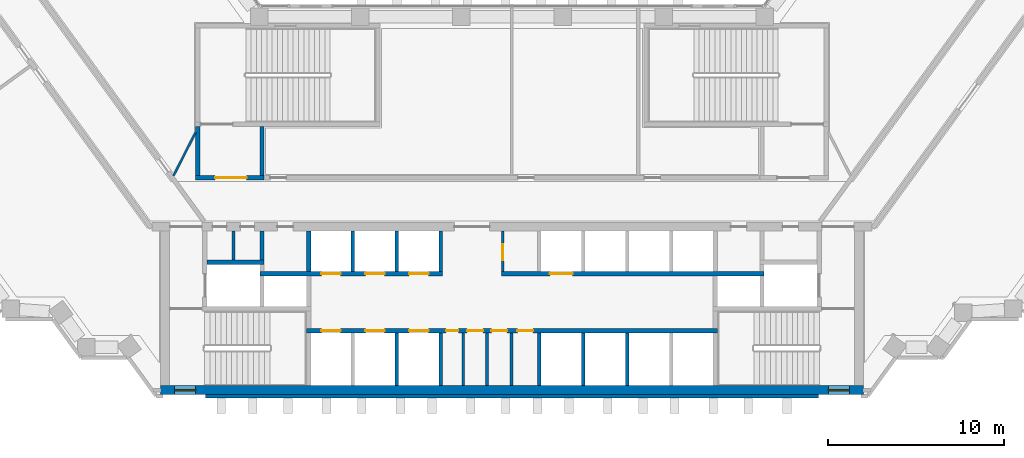
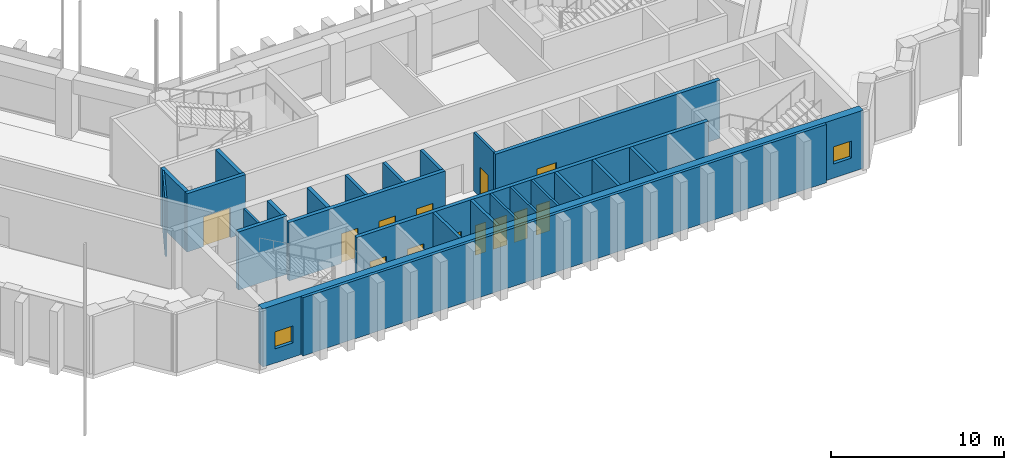
# One storey, part 10 of 18: 25 walls, 13 doors, 2 windows, 15 openings.
"""IFC4 building model written with IfcOpenShell, lengths in metres."""

from ifc_helpers import new_model, si_unit, direction, frame, frame_2d, origin, place, context, subcontext, project, spatial, rectangle, extrude, material, layer, layer_set, type_object, element, fill, save


model = new_model("IFC4")

# Units and contexts
model_context = context("Model", 3, precision=1e-05, world=origin(), true_north=direction((0.0, 1.0)))
body_context = subcontext(model_context, "Body", "Model", "MODEL_VIEW")
ifc_project = project(units=[si_unit("LENGTHUNIT", "METRE"), si_unit("AREAUNIT", "SQUARE_METRE"), si_unit("VOLUMEUNIT", "CUBIC_METRE"), si_unit("PLANEANGLEUNIT", "RADIAN"), si_unit("MASSUNIT", "GRAM", prefix="KILO")], contexts=[model_context])

# Site, building, storey
site_placement = place(None, origin())
site = spatial("IfcSite", under=ifc_project, at=site_placement, CompositionType="ELEMENT")
building_placement = place(site_placement, origin())
building = spatial("IfcBuilding", under=site, at=building_placement, Name="Quipu Civic Tower", CompositionType="ELEMENT")
storey_placement = place(building_placement, frame((0.0, 0.0, 16.0)))
storey = spatial("IfcBuildingStorey", under=building, at=storey_placement, Name="L03", CompositionType="ELEMENT", Elevation=16.0)

# Wall, openings, doors
ifc_material_1 = material(Name="Concrete C70/85", Category="concrete")
ifc_layer_1 = layer(ifc_material_1, 0.25)
ifc_layer_set_1 = layer_set([ifc_layer_1], Name="Concrete C70/85")
wall_type_1 = type_object("IfcWallType", Name="Core wall 250", PredefinedType="SHEAR", material=ifc_layer_set_1)
wall_1_placement = place(storey_placement, frame((11.699951171875, -7.375, 0.0), z_axis=(0.0, 0.0, 1.0), x_axis=(-1.0, 0.0, 0.0)))
wall_1 = element("IfcWall", 1, at=wall_1_placement, inside=storey, type_object=wall_type_1, Name="Core wall", PredefinedType="SHEAR", context=body_context, shape_type="SweptSolid", body=[
    extrude(rectangle(XDim=23.39990234375, YDim=0.25, at=frame_2d((11.699951171875, 0.0))), origin(), (0.0, 0.0, 1.0), 4.10009765625),
])
opening_1_placement = place(wall_1_placement, frame((21.449951171875, 0.0, 0.0)))
opening_1 = element("IfcOpeningElement", 2, at=opening_1_placement, cuts=wall_1, Name="Opening LD-LL1", PredefinedType="OPENING", context=body_context, shape_type="SweptSolid", body=[
    extrude(rectangle(XDim=1.10009765625, YDim=2.10009765625, at=frame_2d((0.550048828125, 1.050048828125))), frame((0.0, 0.135009765625, 0.0), z_axis=(0.0, -1.0, 0.0), x_axis=(1.0, 0.0, 0.0)), (0.0, 0.0, 1.0), 0.27001953125),
])
opening_2_placement = place(wall_1_placement, frame((18.949951171875, 0.0, 0.0)))
opening_2 = element("IfcOpeningElement", 3, at=opening_2_placement, cuts=wall_1, Name="Opening LD-LL2", PredefinedType="OPENING", context=body_context, shape_type="SweptSolid", body=[
    extrude(rectangle(XDim=1.10009765625, YDim=2.10009765625, at=frame_2d((0.550048828125, 1.050048828125))), frame((0.0, 0.135009765625, 0.0), z_axis=(0.0, -1.0, 0.0), x_axis=(1.0, 0.0, 0.0)), (0.0, 0.0, 1.0), 0.27001953125),
])
opening_3_placement = place(wall_1_placement, frame((16.449951171875, 0.0, 0.0)))
opening_3 = element("IfcOpeningElement", 4, at=opening_3_placement, cuts=wall_1, Name="Opening LD-LL3", PredefinedType="OPENING", context=body_context, shape_type="SweptSolid", body=[
    extrude(rectangle(XDim=1.10009765625, YDim=2.10009765625, at=frame_2d((0.550048828125, 1.050048828125))), frame((0.0, 0.135009765625, 0.0), z_axis=(0.0, -1.0, 0.0), x_axis=(1.0, 0.0, 0.0)), (0.0, 0.0, 1.0), 0.27001953125),
])
opening_4_placement = place(wall_1_placement, frame((14.75, 0.0, 0.0)))
opening_4 = element("IfcOpeningElement", 5, at=opening_4_placement, cuts=wall_1, Name="Opening CD-01", PredefinedType="OPENING", context=body_context, shape_type="SweptSolid", body=[
    extrude(rectangle(XDim=0.699951171875, YDim=2.10009765625, at=frame_2d((0.35009765625, 1.050048828125))), frame((0.0, 0.135009765625, 0.0), z_axis=(0.0, -1.0, 0.0), x_axis=(1.0, 0.0, 0.0)), (0.0, 0.0, 1.0), 0.27001953125),
])
opening_5_placement = place(wall_1_placement, frame((13.35009765625, 0.0, 0.0)))
opening_5 = element("IfcOpeningElement", 6, at=opening_5_placement, cuts=wall_1, Name="Opening CD-02", PredefinedType="OPENING", context=body_context, shape_type="SweptSolid", body=[
    extrude(rectangle(XDim=0.89990234375, YDim=2.10009765625, at=frame_2d((0.449951171875, 1.050048828125))), frame((0.0, 0.135009765625, 0.0), z_axis=(0.0, -1.0, 0.0), x_axis=(1.0, 0.0, 0.0)), (0.0, 0.0, 1.0), 0.27001953125),
])
opening_6_placement = place(wall_1_placement, frame((11.97509765625, 0.0, 0.0)))
opening_6 = element("IfcOpeningElement", 7, at=opening_6_placement, cuts=wall_1, Name="Opening CD-03", PredefinedType="OPENING", context=body_context, shape_type="SweptSolid", body=[
    extrude(rectangle(XDim=0.89990234375, YDim=2.10009765625, at=frame_2d((0.449951171875, 1.050048828125))), frame((0.0, 0.135009765625, 0.0), z_axis=(0.0, -1.0, 0.0), x_axis=(1.0, 0.0, 0.0)), (0.0, 0.0, 1.0), 0.27001953125),
])
opening_7_placement = place(wall_1_placement, frame((10.5, 0.0, 0.0)))
opening_7 = element("IfcOpeningElement", 8, at=opening_7_placement, cuts=wall_1, Name="Opening CD-04", PredefinedType="OPENING", context=body_context, shape_type="SweptSolid", body=[
    extrude(rectangle(XDim=0.89990234375, YDim=2.10009765625, at=frame_2d((0.449951171875, 1.050048828125))), frame((0.0, 0.135009765625, 0.0), z_axis=(0.0, -1.0, 0.0), x_axis=(1.0, 0.0, 0.0)), (0.0, 0.0, 1.0), 0.27001953125),
])
ifc_material_2 = material(Name="Fire rated steel door", Category="steel")
door_type_1 = type_object("IfcDoorType", Name="Fire door FD60 700 x 2100", OperationType="NOTDEFINED", PredefinedType="DOOR", material=ifc_material_2)
door_1_placement = place(opening_4_placement, origin())
door_1 = element("IfcDoor", 9, at=door_1_placement, inside=storey, type_object=door_type_1, Name="Door", OperationType="SINGLE_SWING_RIGHT", OverallHeight=2.10009765625, OverallWidth=0.699951171875, PredefinedType="DOOR", context=body_context, shape_type="SweptSolid", body=[
    extrude(rectangle(XDim=0.699951171875, YDim=2.10009765625, at=frame_2d((0.35009765625, 1.050048828125))), frame((0.0, 0.02490234375, 0.0), z_axis=(0.0, -1.0, 0.0), x_axis=(1.0, 0.0, 0.0)), (0.0, 0.0, 1.0), 0.050048828125),
])
fill(opening_4, door_1)
ifc_material_3 = material(Name="Fire rated steel door", Category="steel")
door_type_2 = type_object("IfcDoorType", Name="Fire door FD60 900 x 2100", OperationType="NOTDEFINED", PredefinedType="DOOR", material=ifc_material_3)
door_2_placement = place(opening_5_placement, origin())
door_2 = element("IfcDoor", 10, at=door_2_placement, inside=storey, type_object=door_type_2, Name="WC door", OperationType="SINGLE_SWING_RIGHT", OverallHeight=2.10009765625, OverallWidth=0.89990234375, PredefinedType="DOOR", context=body_context, shape_type="SweptSolid", body=[
    extrude(rectangle(XDim=0.89990234375, YDim=2.10009765625, at=frame_2d((0.449951171875, 1.050048828125))), frame((0.0, 0.02490234375, 0.0), z_axis=(0.0, -1.0, 0.0), x_axis=(1.0, 0.0, 0.0)), (0.0, 0.0, 1.0), 0.050048828125),
])
fill(opening_5, door_2)
door_3_placement = place(opening_6_placement, origin())
door_3 = element("IfcDoor", 11, at=door_3_placement, inside=storey, type_object=door_type_2, Name="WC door", OperationType="SINGLE_SWING_RIGHT", OverallHeight=2.10009765625, OverallWidth=0.89990234375, PredefinedType="DOOR", context=body_context, shape_type="SweptSolid", body=[
    extrude(rectangle(XDim=0.89990234375, YDim=2.10009765625, at=frame_2d((0.449951171875, 1.050048828125))), frame((0.0, 0.02490234375, 0.0), z_axis=(0.0, -1.0, 0.0), x_axis=(1.0, 0.0, 0.0)), (0.0, 0.0, 1.0), 0.050048828125),
])
fill(opening_6, door_3)
door_4_placement = place(opening_7_placement, origin())
door_4 = element("IfcDoor", 12, at=door_4_placement, inside=storey, type_object=door_type_2, Name="WC door", OperationType="SINGLE_SWING_LEFT", OverallHeight=2.10009765625, OverallWidth=0.89990234375, PredefinedType="DOOR", context=body_context, shape_type="SweptSolid", body=[
    extrude(rectangle(XDim=0.89990234375, YDim=2.10009765625, at=frame_2d((0.449951171875, 1.050048828125))), frame((0.0, 0.02490234375, 0.0), z_axis=(0.0, -1.0, 0.0), x_axis=(1.0, 0.0, 0.0)), (0.0, 0.0, 1.0), 0.050048828125),
])
fill(opening_7, door_4)
ifc_material_4 = material(Name="Stainless steel", Category="steel")
door_type_3 = type_object("IfcDoorType", Name="Lift landing door 1100 x 2100", OperationType="DOUBLE_DOOR_SLIDING", PredefinedType="DOOR", material=ifc_material_4)
door_5_placement = place(opening_1_placement, origin())
door_5 = element("IfcDoor", 13, at=door_5_placement, inside=storey, type_object=door_type_3, Name="Landing door LL1", OperationType="DOUBLE_DOOR_SLIDING", OverallHeight=2.10009765625, OverallWidth=1.10009765625, PredefinedType="DOOR", context=body_context, shape_type="SweptSolid", body=[
    extrude(rectangle(XDim=1.10009765625, YDim=2.10009765625, at=frame_2d((0.550048828125, 1.050048828125))), frame((0.0, 0.02490234375, 0.0), z_axis=(0.0, -1.0, 0.0), x_axis=(1.0, 0.0, 0.0)), (0.0, 0.0, 1.0), 0.050048828125),
])
fill(opening_1, door_5)
door_6_placement = place(opening_2_placement, origin())
door_6 = element("IfcDoor", 14, at=door_6_placement, inside=storey, type_object=door_type_3, Name="Landing door LL2", OperationType="DOUBLE_DOOR_SLIDING", OverallHeight=2.10009765625, OverallWidth=1.10009765625, PredefinedType="DOOR", context=body_context, shape_type="SweptSolid", body=[
    extrude(rectangle(XDim=1.10009765625, YDim=2.10009765625, at=frame_2d((0.550048828125, 1.050048828125))), frame((0.0, 0.02490234375, 0.0), z_axis=(0.0, -1.0, 0.0), x_axis=(1.0, 0.0, 0.0)), (0.0, 0.0, 1.0), 0.050048828125),
])
fill(opening_2, door_6)
door_7_placement = place(opening_3_placement, origin())
door_7 = element("IfcDoor", 15, at=door_7_placement, inside=storey, type_object=door_type_3, Name="Landing door LL3", OperationType="DOUBLE_DOOR_SLIDING", OverallHeight=2.10009765625, OverallWidth=1.10009765625, PredefinedType="DOOR", context=body_context, shape_type="SweptSolid", body=[
    extrude(rectangle(XDim=1.10009765625, YDim=2.10009765625, at=frame_2d((0.550048828125, 1.050048828125))), frame((0.0, 0.02490234375, 0.0), z_axis=(0.0, -1.0, 0.0), x_axis=(1.0, 0.0, 0.0)), (0.0, 0.0, 1.0), 0.050048828125),
])
fill(opening_3, door_7)

wall_2_placement = place(storey_placement, frame((-14.35009765625, -4.125, 0.0), z_axis=(0.0, 0.0, 1.0), x_axis=(1.0, 0.0, 0.0)))
wall_2 = element("IfcWall", 16, at=wall_2_placement, inside=storey, type_object=wall_type_1, Name="Core wall", PredefinedType="SHEAR", context=body_context, shape_type="SweptSolid", body=[
    extrude(rectangle(XDim=10.400146484375, YDim=0.25, at=frame_2d((5.2001953125, 0.0))), origin(), (0.0, 0.0, 1.0), 4.10009765625),
])
opening_8_placement = place(wall_2_placement, frame((3.5, 0.0, 0.0)))
opening_8 = element("IfcOpeningElement", 17, at=opening_8_placement, cuts=wall_2, Name="Opening LD-LL4", PredefinedType="OPENING", context=body_context, shape_type="SweptSolid", body=[
    extrude(rectangle(XDim=1.10009765625, YDim=2.10009765625, at=frame_2d((0.550048828125, 1.050048828125))), frame((0.0, 0.135009765625, 0.0), z_axis=(0.0, -1.0, 0.0), x_axis=(1.0, 0.0, 0.0)), (0.0, 0.0, 1.0), 0.27001953125),
])
opening_9_placement = place(wall_2_placement, frame((6.0, 0.0, 0.0)))
opening_9 = element("IfcOpeningElement", 18, at=opening_9_placement, cuts=wall_2, Name="Opening LD-LL5", PredefinedType="OPENING", context=body_context, shape_type="SweptSolid", body=[
    extrude(rectangle(XDim=1.10009765625, YDim=2.10009765625, at=frame_2d((0.550048828125, 1.050048828125))), frame((0.0, 0.135009765625, 0.0), z_axis=(0.0, -1.0, 0.0), x_axis=(1.0, 0.0, 0.0)), (0.0, 0.0, 1.0), 0.27001953125),
])
opening_10_placement = place(wall_2_placement, frame((8.5, 0.0, 0.0)))
opening_10 = element("IfcOpeningElement", 19, at=opening_10_placement, cuts=wall_2, Name="Opening LD-LL6", PredefinedType="OPENING", context=body_context, shape_type="SweptSolid", body=[
    extrude(rectangle(XDim=1.10009765625, YDim=2.10009765625, at=frame_2d((0.550048828125, 1.050048828125))), frame((0.0, 0.135009765625, 0.0), z_axis=(0.0, -1.0, 0.0), x_axis=(1.0, 0.0, 0.0)), (0.0, 0.0, 1.0), 0.27001953125),
])
door_8_placement = place(opening_8_placement, origin())
door_8 = element("IfcDoor", 20, at=door_8_placement, inside=storey, type_object=door_type_3, Name="Landing door LL4", OperationType="DOUBLE_DOOR_SLIDING", OverallHeight=2.10009765625, OverallWidth=1.10009765625, PredefinedType="DOOR", context=body_context, shape_type="SweptSolid", body=[
    extrude(rectangle(XDim=1.10009765625, YDim=2.10009765625, at=frame_2d((0.550048828125, 1.050048828125))), frame((0.0, 0.02490234375, 0.0), z_axis=(0.0, -1.0, 0.0), x_axis=(1.0, 0.0, 0.0)), (0.0, 0.0, 1.0), 0.050048828125),
])
fill(opening_8, door_8)
door_9_placement = place(opening_9_placement, origin())
door_9 = element("IfcDoor", 21, at=door_9_placement, inside=storey, type_object=door_type_3, Name="Landing door LL5", OperationType="DOUBLE_DOOR_SLIDING", OverallHeight=2.10009765625, OverallWidth=1.10009765625, PredefinedType="DOOR", context=body_context, shape_type="SweptSolid", body=[
    extrude(rectangle(XDim=1.10009765625, YDim=2.10009765625, at=frame_2d((0.550048828125, 1.050048828125))), frame((0.0, 0.02490234375, 0.0), z_axis=(0.0, -1.0, 0.0), x_axis=(1.0, 0.0, 0.0)), (0.0, 0.0, 1.0), 0.050048828125),
])
fill(opening_9, door_9)
door_10_placement = place(opening_10_placement, origin())
door_10 = element("IfcDoor", 22, at=door_10_placement, inside=storey, type_object=door_type_3, Name="Landing door LL6", OperationType="DOUBLE_DOOR_SLIDING", OverallHeight=2.10009765625, OverallWidth=1.10009765625, PredefinedType="DOOR", context=body_context, shape_type="SweptSolid", body=[
    extrude(rectangle(XDim=1.10009765625, YDim=2.10009765625, at=frame_2d((0.550048828125, 1.050048828125))), frame((0.0, 0.02490234375, 0.0), z_axis=(0.0, -1.0, 0.0), x_axis=(1.0, 0.0, 0.0)), (0.0, 0.0, 1.0), 0.050048828125),
])
fill(opening_10, door_10)

# Wall, opening, door
wall_3_placement = place(storey_placement, frame((-0.60009765625, -4.125, 0.0), z_axis=(0.0, 0.0, 1.0), x_axis=(1.0, 0.0, 0.0)))
wall_3 = element("IfcWall", 23, at=wall_3_placement, inside=storey, type_object=wall_type_1, Name="Core wall", PredefinedType="SHEAR", context=body_context, shape_type="SweptSolid", body=[
    extrude(rectangle(XDim=14.9501953125, YDim=0.25, at=frame_2d((7.47509765625, 0.0))), origin(), (0.0, 0.0, 1.0), 4.10009765625),
])
opening_11_placement = place(wall_3_placement, frame((2.75, 0.0, 0.0)))
opening_11 = element("IfcOpeningElement", 24, at=opening_11_placement, cuts=wall_3, Name="Opening LD-FF3", PredefinedType="OPENING", context=body_context, shape_type="SweptSolid", body=[
    extrude(rectangle(XDim=1.300048828125, YDim=2.10009765625, at=frame_2d((0.64990234375, 1.050048828125))), frame((0.0, 0.135009765625, 0.0), z_axis=(0.0, -1.0, 0.0), x_axis=(1.0, 0.0, 0.0)), (0.0, 0.0, 1.0), 0.27001953125),
])
ifc_material_5 = material(Name="Stainless steel", Category="steel")
door_type_4 = type_object("IfcDoorType", Name="Lift landing door 1300 x 2100", OperationType="DOUBLE_DOOR_SLIDING", PredefinedType="DOOR", material=ifc_material_5)
door_11_placement = place(opening_11_placement, origin())
door_11 = element("IfcDoor", 25, at=door_11_placement, inside=storey, type_object=door_type_4, Name="Landing door FF3", OperationType="DOUBLE_DOOR_SLIDING", OverallHeight=2.10009765625, OverallWidth=1.300048828125, PredefinedType="DOOR", context=body_context, shape_type="SweptSolid", body=[
    extrude(rectangle(XDim=1.300048828125, YDim=2.10009765625, at=frame_2d((0.64990234375, 1.050048828125))), frame((0.0, 0.02490234375, 0.0), z_axis=(0.0, -1.0, 0.0), x_axis=(1.0, 0.0, 0.0)), (0.0, 0.0, 1.0), 0.050048828125),
])
fill(opening_11, door_11)

# Walls
wall_4_placement = place(storey_placement, frame((-11.574951171875, -4.0, 0.0), z_axis=(0.0, 0.0, 1.0), x_axis=(0.0, 1.0, 0.0)))
element("IfcWall", 26, at=wall_4_placement, inside=storey, type_object=wall_type_1, Name="Core wall", PredefinedType="SHEAR", context=body_context, shape_type="SweptSolid", body=[
    extrude(rectangle(XDim=2.300048828125, YDim=0.25, at=frame_2d((1.14990234375, 0.0))), origin(), (0.0, 0.0, 1.0), 4.10009765625),
])
wall_5_placement = place(storey_placement, frame((-17.35009765625, -3.47509765625, 0.0), z_axis=(0.0, 0.0, 1.0), x_axis=(1.0, 0.0, 0.0)))
element("IfcWall", 27, at=wall_5_placement, inside=storey, type_object=wall_type_1, Name="Core wall", PredefinedType="SHEAR", context=body_context, shape_type="SweptSolid", body=[
    extrude(rectangle(XDim=3.25, YDim=0.25, at=frame_2d((1.625, 0.0))), origin(), (0.0, 0.0, 1.0), 4.10009765625),
])
wall_6_placement = place(storey_placement, frame((-14.22509765625, -3.35009765625, 0.0), z_axis=(0.0, 0.0, 1.0), x_axis=(0.0, 1.0, 0.0)))
element("IfcWall", 28, at=wall_6_placement, inside=storey, type_object=wall_type_1, Name="Core wall", PredefinedType="SHEAR", context=body_context, shape_type="SweptSolid", body=[
    extrude(rectangle(XDim=1.650146484375, YDim=0.25, at=frame_2d((0.8251953125, 0.0))), origin(), (0.0, 0.0, 1.0), 4.10009765625),
])

# Wall, opening, door
wall_7_placement = place(storey_placement, frame((-18.0, 1.324951171875, 0.0), z_axis=(0.0, 0.0, 1.0), x_axis=(1.0, 0.0, 0.0)))
wall_7 = element("IfcWall", 29, at=wall_7_placement, inside=storey, type_object=wall_type_1, Name="Core wall", PredefinedType="SHEAR", context=body_context, shape_type="SweptSolid", body=[
    extrude(rectangle(XDim=3.89990234375, YDim=0.25, at=frame_2d((1.949951171875, 0.0))), origin(), (0.0, 0.0, 1.0), 4.10009765625),
])
opening_12_placement = place(wall_7_placement, frame((1.10009765625, 0.0, 0.0)))
opening_12 = element("IfcOpeningElement", 30, at=opening_12_placement, cuts=wall_7, Name="Opening CD-16", PredefinedType="OPENING", context=body_context, shape_type="SweptSolid", body=[
    extrude(rectangle(XDim=1.800048828125, YDim=2.10009765625, at=frame_2d((0.89990234375, 1.050048828125))), frame((0.0, 0.135009765625, 0.0), z_axis=(0.0, -1.0, 0.0), x_axis=(1.0, 0.0, 0.0)), (0.0, 0.0, 1.0), 0.27001953125),
])
ifc_material_6 = material(Name="Fire rated steel door", Category="steel")
door_type_5 = type_object("IfcDoorType", Name="Fire door FD90 double 1800 x 2100", OperationType="NOTDEFINED", PredefinedType="DOOR", material=ifc_material_6)
door_12_placement = place(opening_12_placement, origin())
door_12 = element("IfcDoor", 31, at=door_12_placement, inside=storey, type_object=door_type_5, Name="Lobby door", OperationType="DOUBLE_DOOR_SINGLE_SWING", OverallHeight=2.10009765625, OverallWidth=1.800048828125, PredefinedType="DOOR", context=body_context, shape_type="SweptSolid", body=[
    extrude(rectangle(XDim=1.800048828125, YDim=2.10009765625, at=frame_2d((0.89990234375, 1.050048828125))), frame((0.0, 0.02490234375, 0.0), z_axis=(0.0, -1.0, 0.0), x_axis=(1.0, 0.0, 0.0)), (0.0, 0.0, 1.0), 0.050048828125),
])
fill(opening_12, door_12)

# Walls
for number, where, z_axis, x_axis, name in (
    (32, (-17.875, 1.449951171875, 0.0), (0.0, 0.0, 1.0), (0.0, 1.0, 0.0), "Core wall"),
    (33, (-14.22509765625, 1.449951171875, 0.0), (0.0, 0.0, 1.0), (0.0, 1.0, 0.0), "Core wall"),
):
    element("IfcWall", number, at=place(storey_placement, frame(where, z_axis=z_axis, x_axis=x_axis)), inside=storey, type_object=wall_type_1, Name=name, PredefinedType="SHEAR", context=body_context, shape_type="SweptSolid", body=[
        extrude(rectangle(XDim=2.800048828125, YDim=0.25, at=frame_2d((1.39990234375, 0.0))), origin(), (0.0, 0.0, 1.0), 4.10009765625),
    ])

# Wall, openings, windows
ifc_material_7 = material(Name="Concrete C70/85", Category="concrete")
ifc_layer_2 = layer(ifc_material_7, 0.5)
ifc_layer_set_2 = layer_set([ifc_layer_2], Name="Concrete C70/85")
wall_type_2 = type_object("IfcWallType", Name="Core wall 500", PredefinedType="SHEAR", material=ifc_layer_set_2)
wall_8_placement = place(storey_placement, frame((-20.0, -10.75, 0.0), z_axis=(0.0, 0.0, 1.0), x_axis=(1.0, 0.0, 0.0)))
wall_8 = element("IfcWall", 34, at=wall_8_placement, inside=storey, type_object=wall_type_2, Name="Core wall", PredefinedType="SHEAR", context=body_context, shape_type="SweptSolid", body=[
    extrude(rectangle(XDim=40.0, YDim=0.5, at=frame_2d((20.0, 0.0))), origin(), (0.0, 0.0, 1.0), 4.10009765625),
])
opening_13_placement = place(wall_8_placement, frame((0.800048828125, 0.0, 1.0)))
opening_13 = element("IfcOpeningElement", 35, at=opening_13_placement, cuts=wall_8, Name="Opening SV-1", PredefinedType="OPENING", context=body_context, shape_type="SweptSolid", body=[
    extrude(rectangle(XDim=1.199951171875, YDim=1.199951171875, at=frame_2d((0.60009765625, 0.60009765625))), frame((0.0, 0.260009765625, 0.0), z_axis=(0.0, -1.0, 0.0), x_axis=(1.0, 0.0, 0.0)), (0.0, 0.0, 1.0), 0.52001953125),
])
opening_14_placement = place(wall_8_placement, frame((38.0, 0.0, 1.0)))
opening_14 = element("IfcOpeningElement", 36, at=opening_14_placement, cuts=wall_8, Name="Opening SV-2", PredefinedType="OPENING", context=body_context, shape_type="SweptSolid", body=[
    extrude(rectangle(XDim=1.199951171875, YDim=1.199951171875, at=frame_2d((0.60009765625, 0.60009765625))), frame((0.0, 0.260009765625, 0.0), z_axis=(0.0, -1.0, 0.0), x_axis=(1.0, 0.0, 0.0)), (0.0, 0.0, 1.0), 0.52001953125),
])
ifc_material_8 = material(Name="Aluminium louvre", Category="aluminium")
window_type = type_object("IfcWindowType", Name="Stair ventilation louvre 1200 x 1200", PartitioningType="SINGLE_PANEL", PredefinedType="WINDOW", material=ifc_material_8)
window_1_placement = place(opening_13_placement, origin())
window_1 = element("IfcWindow", 37, at=window_1_placement, inside=storey, type_object=window_type, Name="Stair ventilation opening", OverallHeight=1.199951171875, OverallWidth=1.199951171875, PartitioningType="SINGLE_PANEL", PredefinedType="WINDOW", context=body_context, shape_type="SweptSolid", body=[
    extrude(rectangle(XDim=1.199951171875, YDim=1.199951171875, at=frame_2d((0.60009765625, 0.60009765625))), frame((0.0, 0.030029296875, 0.0), z_axis=(0.0, -1.0, 0.0), x_axis=(1.0, 0.0, 0.0)), (0.0, 0.0, 1.0), 0.06005859375),
])
fill(opening_13, window_1)
window_2_placement = place(opening_14_placement, origin())
window_2 = element("IfcWindow", 38, at=window_2_placement, inside=storey, type_object=window_type, Name="Stair ventilation opening", OverallHeight=1.199951171875, OverallWidth=1.199951171875, PartitioningType="SINGLE_PANEL", PredefinedType="WINDOW", context=body_context, shape_type="SweptSolid", body=[
    extrude(rectangle(XDim=1.199951171875, YDim=1.199951171875, at=frame_2d((0.60009765625, 0.60009765625))), frame((0.0, 0.030029296875, 0.0), z_axis=(0.0, -1.0, 0.0), x_axis=(1.0, 0.0, 0.0)), (0.0, 0.0, 1.0), 0.06005859375),
])
fill(opening_14, window_2)

# Walls
ifc_material_9 = material(Name="Gypsum plasterboard on light gauge framing")
ifc_layer_3 = layer(ifc_material_9, 0.1201171875)
ifc_layer_set_3 = layer_set([ifc_layer_3], Name="Gypsum plasterboard on light gauge framing")
wall_type_3 = type_object("IfcWallType", Name="Partition 120 plasterboard", PredefinedType="PARTITIONING", material=ifc_layer_set_3)
wall_9_placement = place(storey_placement, frame((-19.260986328125, 1.449951171875, 0.0), z_axis=(0.0, 0.0, 1.0), x_axis=(0.453950796792, 0.891026752736, 0.0)))
element("IfcWall", 39, at=wall_9_placement, inside=storey, type_object=wall_type_3, Name="Partition P14", PredefinedType="PARTITIONING", context=body_context, shape_type="SweptSolid", body=[
    extrude(rectangle(XDim=2.77783203125, YDim=0.1201171875, at=frame_2d((1.388916015625, 0.0))), origin(), (0.0, 0.0, 1.0), 4.10009765625),
])
ifc_material_10 = material(Name="Gypsum board partition")
ifc_layer_4 = layer(ifc_material_10, 0.14990234375)
ifc_layer_set_4 = layer_set([ifc_layer_4], Name="Gypsum board partition")
wall_type_4 = type_object("IfcWallType", Name="Partition 150", PredefinedType="PARTITIONING", material=ifc_layer_set_4)
for number, where, z_axis, x_axis, name in (
    (40, (-2.77490234375, -10.5, 0.0), (0.0, 0.0, 1.0), (0.0, 1.0, 0.0), "Partition"),
    (41, (-1.425048828125, -10.5, 0.0), (0.0, 0.0, 1.0), (0.0, 1.0, 0.0), "Partition"),
    (42, (-0.02490234375, -10.5, 0.0), (0.0, 0.0, 1.0), (0.0, 1.0, 0.0), "Partition"),
):
    element("IfcWall", number, at=place(storey_placement, frame(where, z_axis=z_axis, x_axis=x_axis)), inside=storey, type_object=wall_type_4, Name=name, PredefinedType="PARTITIONING", context=body_context, shape_type="SweptSolid", body=[
        extrude(rectangle(XDim=3.0, YDim=0.14990234375, at=frame_2d((1.5, 0.0))), origin(), (0.0, 0.0, 1.0), 4.10009765625),
    ])

# Wall, opening, door
wall_10_placement = place(storey_placement, frame((-0.52490234375, -4.0, 0.0), z_axis=(0.0, 0.0, 1.0), x_axis=(0.0, 1.0, 0.0)))
wall_10 = element("IfcWall", 43, at=wall_10_placement, inside=storey, type_object=wall_type_4, Name="Partition", PredefinedType="PARTITIONING", context=body_context, shape_type="SweptSolid", body=[
    extrude(rectangle(XDim=2.300048828125, YDim=0.14990234375, at=frame_2d((1.14990234375, 0.0))), origin(), (0.0, 0.0, 1.0), 4.10009765625),
])
opening_15_placement = place(wall_10_placement, frame((0.64990234375, 0.0, 0.0)))
opening_15 = element("IfcOpeningElement", 44, at=opening_15_placement, cuts=wall_10, Name="Opening CD-07", PredefinedType="OPENING", context=body_context, shape_type="SweptSolid", body=[
    extrude(rectangle(XDim=0.89990234375, YDim=2.10009765625, at=frame_2d((0.449951171875, 1.050048828125))), frame((0.0, 0.0849609375, 0.0), z_axis=(0.0, -1.0, 0.0), x_axis=(1.0, 0.0, 0.0)), (0.0, 0.0, 1.0), 0.169921875),
])
door_13_placement = place(opening_15_placement, origin())
door_13 = element("IfcDoor", 45, at=door_13_placement, inside=storey, type_object=door_type_2, Name="WC door", OperationType="SINGLE_SWING_LEFT", OverallHeight=2.10009765625, OverallWidth=0.89990234375, PredefinedType="DOOR", context=body_context, shape_type="SweptSolid", body=[
    extrude(rectangle(XDim=0.89990234375, YDim=2.10009765625, at=frame_2d((0.449951171875, 1.050048828125))), frame((0.0, 0.02490234375, 0.0), z_axis=(0.0, -1.0, 0.0), x_axis=(1.0, 0.0, 0.0)), (0.0, 0.0, 1.0), 0.050048828125),
])
fill(opening_15, door_13)

# Walls
wall_11_placement = place(storey_placement, frame((-15.85009765625, -3.35009765625, 0.0), z_axis=(0.0, 0.0, 1.0), x_axis=(0.0, 1.0, 0.0)))
element("IfcWall", 46, at=wall_11_placement, inside=storey, type_object=wall_type_4, Name="Partition", PredefinedType="PARTITIONING", context=body_context, shape_type="SweptSolid", body=[
    extrude(rectangle(XDim=1.650146484375, YDim=0.14990234375, at=frame_2d((0.8251953125, 0.0))), origin(), (0.0, 0.0, 1.0), 4.10009765625),
])
ifc_material_11 = material(Name="Precast concrete C40/50", Category="concrete")
wall_type_5 = type_object("IfcWallType", Name="Precast cladding wall", PredefinedType="SOLIDWALL", material=ifc_material_11)
wall_12_placement = place(storey_placement, frame((-17.44384765625, -11.087890625, 0.0), z_axis=(0.0, 0.0, 1.0), x_axis=(1.0, 0.0, 0.0)))
element("IfcWall", 47, at=wall_12_placement, inside=storey, type_object=wall_type_5, Name="Precast cladding wall L03 P25", PredefinedType="SOLIDWALL", context=body_context, shape_type="SweptSolid", body=[
    extrude(rectangle(XDim=34.8876953125, YDim=0.199951171875, at=frame_2d((17.44384765625, 0.0))), origin(), (0.0, 0.0, 1.0), 4.10009765625),
])
ifc_material_12 = material(Name="Concrete C40/50", Category="concrete")
ifc_layer_5 = layer(ifc_material_12, 0.199951171875)
ifc_layer_set_5 = layer_set([ifc_layer_5], Name="Concrete C40/50")
wall_type_6 = type_object("IfcWallType", Name="Shaft wall 200", PredefinedType="SOLIDWALL", material=ifc_layer_set_5)
for number, where, z_axis, x_axis, name in (
    (48, (-6.550048828125, -10.5, 0.0), (0.0, 0.0, 1.0), (0.0, 1.0, 0.0), "Shaft wall"),
    (49, (-4.050048828125, -10.5, 0.0), (0.0, 0.0, 1.0), (0.0, 1.0, 0.0), "Shaft wall"),
    (50, (1.550048828125, -10.5, 0.0), (0.0, 0.0, 1.0), (0.0, 1.0, 0.0), "Shaft wall"),
    (51, (4.050048828125, -10.5, 0.0), (0.0, 0.0, 1.0), (0.0, 1.0, 0.0), "Shaft wall"),
    (52, (6.550048828125, -10.5, 0.0), (0.0, 0.0, 1.0), (0.0, 1.0, 0.0), "Shaft wall"),
):
    element("IfcWall", number, at=place(storey_placement, frame(where, z_axis=z_axis, x_axis=x_axis)), inside=storey, type_object=wall_type_6, Name=name, PredefinedType="SOLIDWALL", context=body_context, shape_type="SweptSolid", body=[
        extrude(rectangle(XDim=3.0, YDim=0.199951171875, at=frame_2d((1.5, 0.0))), origin(), (0.0, 0.0, 1.0), 4.10009765625),
    ])
for number, where, z_axis, x_axis, name in (
    (53, (-9.050048828125, -4.0, 0.0), (0.0, 0.0, 1.0), (0.0, 1.0, 0.0), "Shaft wall"),
    (54, (-6.550048828125, -4.0, 0.0), (0.0, 0.0, 1.0), (0.0, 1.0, 0.0), "Shaft wall"),
    (55, (-4.050048828125, -4.0, 0.0), (0.0, 0.0, 1.0), (0.0, 1.0, 0.0), "Shaft wall"),
):
    element("IfcWall", number, at=place(storey_placement, frame(where, z_axis=z_axis, x_axis=x_axis)), inside=storey, type_object=wall_type_6, Name=name, PredefinedType="SOLIDWALL", context=body_context, shape_type="SweptSolid", body=[
        extrude(rectangle(XDim=2.300048828125, YDim=0.199951171875, at=frame_2d((1.14990234375, 0.0))), origin(), (0.0, 0.0, 1.0), 4.10009765625),
    ])

save(model, "model.ifc")
